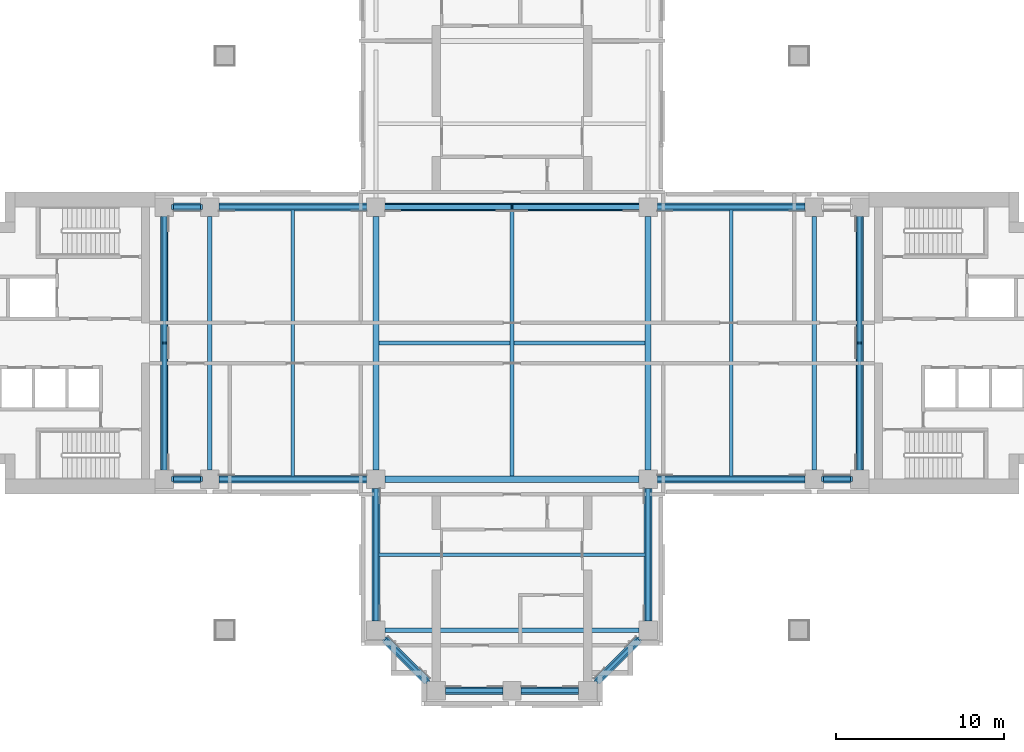
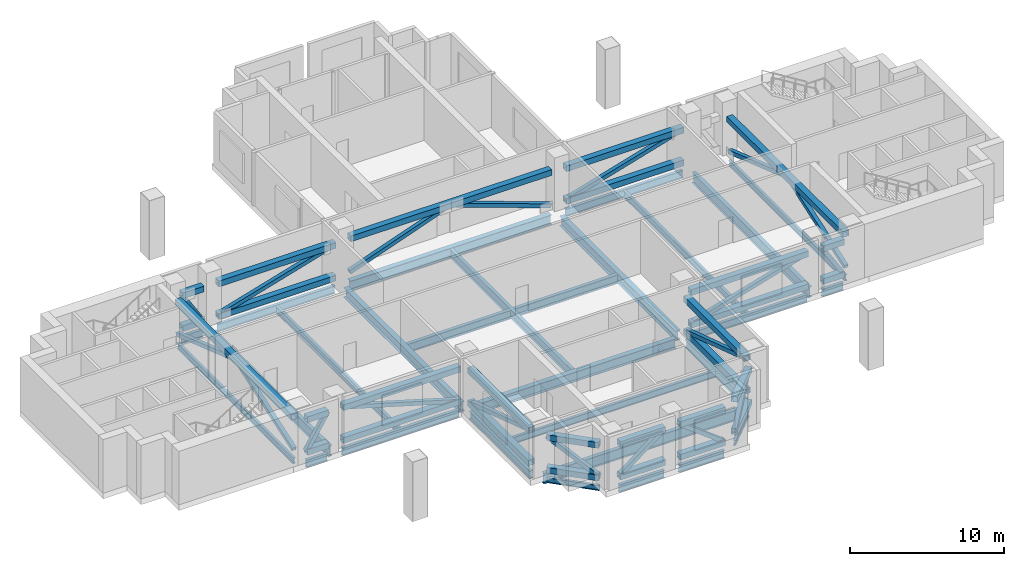
# One storey, part 3 of 11: 48 members, 28 beams.
"""IFC4 building model written with IfcOpenShell, lengths in metres."""

from ifc_helpers import new_model, si_unit, direction, frame, origin, origin_2d, place, context, subcontext, project, spatial, hollow_rectangle, i_section, extrude, material, material_profile, profile_set, type_object, element, save


model = new_model("IFC4")

# Units and contexts
model_context = context("Model", 3, precision=1e-05, world=origin(), true_north=direction((0.0, 1.0)))
body_context = subcontext(model_context, "Body", "Model", "MODEL_VIEW")
ifc_project = project(units=[si_unit("LENGTHUNIT", "METRE"), si_unit("AREAUNIT", "SQUARE_METRE"), si_unit("VOLUMEUNIT", "CUBIC_METRE"), si_unit("PLANEANGLEUNIT", "RADIAN"), si_unit("MASSUNIT", "GRAM", prefix="KILO")], contexts=[model_context])

# Site, building, storey
site_placement = place(None, origin())
site = spatial("IfcSite", under=ifc_project, at=site_placement, CompositionType="ELEMENT")
building_placement = place(site_placement, origin())
building = spatial("IfcBuilding", under=site, at=building_placement, Name="Perihelion Cross Residences", CompositionType="ELEMENT")
storey_placement = place(building_placement, frame((0.0, 0.0, 162.10009765625)))
storey = spatial("IfcBuildingStorey", under=building, at=storey_placement, Name="L39", CompositionType="ELEMENT", Elevation=162.10009765625)

# Members
ifc_material_1 = material(Name="Steel S355", Category="steel")
ifc_material_profile_1 = material_profile(ifc_material_1, hollow_rectangle(XDim=0.45703125, YDim=0.45703125, WallThickness=0.01904296875, at=origin_2d()), Name="HSS457.2x457.2x19")
ifc_profile_set_1 = profile_set([ifc_material_profile_1], Name="Steel S355")
member_type_1 = type_object("IfcMemberType", Name="Belt truss chord HSS457.2x457.2x19", PredefinedType="CHORD", material=ifc_profile_set_1)
for number, where, z_axis, x_axis, name in (
    (1, (17.449951171875, 8.10009765625, 2.8212890625), (-1.0, 0.0, 0.0), (0.0, -1.0, 0.0), "Belt truss BT3 L39 top no. 11"),
    (2, (17.449951171875, 8.10009765625, 0.228515625), (-1.0, 0.0, 0.0), (0.0, -1.0, 0.0), "Belt truss BT3 L39 bottom no. 10"),
):
    element("IfcMember", number, at=place(storey_placement, frame(where, z_axis=z_axis, x_axis=x_axis)), inside=storey, type_object=member_type_1, Name=name, PredefinedType="CHORD", context=body_context, shape_type="SweptSolid", body=[
        extrude(hollow_rectangle(XDim=0.45703125, YDim=0.45703125, WallThickness=0.01904296875, at=origin_2d()), origin(), (0.0, 0.0, 1.0), 8.800048828125),
    ])
member_1_placement = place(storey_placement, frame((7.550048828125, 8.10009765625, 2.931396484375), z_axis=(-1.0, 0.0, 0.0), x_axis=(0.0, -1.0, 0.0)))
element("IfcMember", 3, at=member_1_placement, inside=storey, type_object=member_type_1, Name="Belt truss BT3 L39 top no. 17", PredefinedType="CHORD", context=body_context, shape_type="SweptSolid", body=[
    extrude(hollow_rectangle(XDim=0.45703125, YDim=0.45703125, WallThickness=0.01904296875, at=origin_2d()), origin(), (0.0, 0.0, 1.0), 15.10009765625),
])
for number, where, z_axis, x_axis, name in (
    (4, (-8.64990234375, 8.10009765625, 2.8212890625), (-1.0, 0.0, 0.0), (0.0, -1.0, 0.0), "Belt truss BT3 L39 top no. 8"),
    (5, (-8.64990234375, 8.10009765625, 0.228515625), (-1.0, 0.0, 0.0), (0.0, -1.0, 0.0), "Belt truss BT3 L39 bottom no. 7"),
):
    element("IfcMember", number, at=place(storey_placement, frame(where, z_axis=z_axis, x_axis=x_axis)), inside=storey, type_object=member_type_1, Name=name, PredefinedType="CHORD", context=body_context, shape_type="SweptSolid", body=[
        extrude(hollow_rectangle(XDim=0.45703125, YDim=0.45703125, WallThickness=0.01904296875, at=origin_2d()), origin(), (0.0, 0.0, 1.0), 8.800048828125),
    ])
for number, where, z_axis, x_axis, name in (
    (6, (-18.550048828125, 8.10009765625, 2.8212890625), (-1.0, 0.0, 0.0), (0.0, -1.0, 0.0), "Belt truss BT3 L39 top no. 2"),
    (7, (-18.550048828125, 8.10009765625, 0.228515625), (-1.0, 0.0, 0.0), (0.0, -1.0, 0.0), "Belt truss BT3 L39 bottom no. 2"),
):
    element("IfcMember", number, at=place(storey_placement, frame(where, z_axis=z_axis, x_axis=x_axis)), inside=storey, type_object=member_type_1, Name=name, PredefinedType="CHORD", context=body_context, shape_type="SweptSolid", body=[
        extrude(hollow_rectangle(XDim=0.45703125, YDim=0.45703125, WallThickness=0.01904296875, at=origin_2d()), origin(), (0.0, 0.0, 1.0), 1.599853515625),
    ])
member_2_placement = place(storey_placement, frame((-20.699951171875, 7.550048828125, 2.8212890625), z_axis=(0.0, -1.0, 0.0), x_axis=(1.0, 0.0, 0.0)))
element("IfcMember", 8, at=member_2_placement, inside=storey, type_object=member_type_1, Name="Belt truss BT3 L39 top no. 4", PredefinedType="CHORD", context=body_context, shape_type="SweptSolid", body=[
    extrude(hollow_rectangle(XDim=0.45703125, YDim=0.45703125, WallThickness=0.01904296875, at=origin_2d()), origin(), (0.0, 0.0, 1.0), 15.10009765625),
])
for number, where, z_axis, x_axis, name in (
    (9, (-20.14990234375, -8.10009765625, 2.8212890625), (1.0, 0.0, 0.0), (0.0, 1.0, 0.0), "Belt truss BT3 L39 top no. 3"),
    (10, (-20.14990234375, -8.10009765625, 0.228515625), (1.0, 0.0, 0.0), (0.0, 1.0, 0.0), "Belt truss BT3 L39 bottom no. 3"),
):
    element("IfcMember", number, at=place(storey_placement, frame(where, z_axis=z_axis, x_axis=x_axis)), inside=storey, type_object=member_type_1, Name=name, PredefinedType="CHORD", context=body_context, shape_type="SweptSolid", body=[
        extrude(hollow_rectangle(XDim=0.45703125, YDim=0.45703125, WallThickness=0.01904296875, at=origin_2d()), origin(), (0.0, 0.0, 1.0), 1.599853515625),
    ])
for number, where, z_axis, x_axis, name in (
    (11, (-17.449951171875, -8.10009765625, 2.8212890625), (1.0, 0.0, 0.0), (0.0, 1.0, 0.0), "Belt truss BT3 L39 top no. 1"),
    (12, (-17.449951171875, -8.10009765625, 0.228515625), (1.0, 0.0, 0.0), (0.0, 1.0, 0.0), "Belt truss BT3 L39 bottom no. 1"),
):
    element("IfcMember", number, at=place(storey_placement, frame(where, z_axis=z_axis, x_axis=x_axis)), inside=storey, type_object=member_type_1, Name=name, PredefinedType="CHORD", context=body_context, shape_type="SweptSolid", body=[
        extrude(hollow_rectangle(XDim=0.45703125, YDim=0.45703125, WallThickness=0.01904296875, at=origin_2d()), origin(), (0.0, 0.0, 1.0), 8.800048828125),
    ])
for number, where, z_axis, x_axis, name in (
    (13, (-8.10009765625, -8.64990234375, 2.8212890625), (0.0, -1.0, 0.0), (1.0, 0.0, 0.0), "Belt truss BT3 L39 top no. 7"),
    (14, (-8.10009765625, -8.64990234375, 0.228515625), (0.0, -1.0, 0.0), (1.0, 0.0, 0.0), "Belt truss BT3 L39 bottom no. 6"),
):
    element("IfcMember", number, at=place(storey_placement, frame(where, z_axis=z_axis, x_axis=x_axis)), inside=storey, type_object=member_type_1, Name=name, PredefinedType="CHORD", context=body_context, shape_type="SweptSolid", body=[
        extrude(hollow_rectangle(XDim=0.45703125, YDim=0.45703125, WallThickness=0.01904296875, at=origin_2d()), origin(), (0.0, 0.0, 1.0), 7.900146484375),
    ])
for number, where, z_axis, x_axis, name in (
    (15, (-7.550048828125, -17.64990234375, 2.8212890625), (0.707106781187, -0.707106781187, 0.0), (0.707106781187, 0.707106781187, 0.0), "Belt truss BT3 L39 top no. 6"),
    (16, (-7.550048828125, -17.64990234375, 0.228515625), (0.707106781187, -0.707106781187, 0.0), (0.707106781187, 0.707106781187, 0.0), "Belt truss BT3 L39 bottom no. 5"),
):
    element("IfcMember", number, at=place(storey_placement, frame(where, z_axis=z_axis, x_axis=x_axis)), inside=storey, type_object=member_type_1, Name=name, PredefinedType="CHORD", context=body_context, shape_type="SweptSolid", body=[
        extrude(hollow_rectangle(XDim=0.45703125, YDim=0.45703125, WallThickness=0.01904296875, at=origin_2d()), origin(), (0.0, 0.0, 1.0), 3.53564453125),
    ])
for number, where, z_axis, x_axis, name in (
    (17, (-3.949951171875, -20.699951171875, 2.8212890625), (1.0, 0.0, 0.0), (0.0, 1.0, 0.0), "Belt truss BT3 L39 top no. 5"),
    (18, (-3.949951171875, -20.699951171875, 0.228515625), (1.0, 0.0, 0.0), (0.0, 1.0, 0.0), "Belt truss BT3 L39 bottom no. 4"),
    (19, (0.550048828125, -20.699951171875, 2.8212890625), (1.0, 0.0, 0.0), (0.0, 1.0, 0.0), "Belt truss BT3 L39 top no. 9"),
    (20, (0.550048828125, -20.699951171875, 0.228515625), (1.0, 0.0, 0.0), (0.0, 1.0, 0.0), "Belt truss BT3 L39 bottom no. 8"),
):
    element("IfcMember", number, at=place(storey_placement, frame(where, z_axis=z_axis, x_axis=x_axis)), inside=storey, type_object=member_type_1, Name=name, PredefinedType="CHORD", context=body_context, shape_type="SweptSolid", body=[
        extrude(hollow_rectangle(XDim=0.45703125, YDim=0.45703125, WallThickness=0.01904296875, at=origin_2d()), origin(), (0.0, 0.0, 1.0), 3.39990234375),
    ])
for number, where, z_axis, x_axis, name in (
    (21, (5.050048828125, -20.14990234375, 2.8212890625), (0.707106781187, 0.707106781187, 0.0), (-0.707106781187, 0.707106781187, 0.0), "Belt truss BT3 L39 top no. 14"),
    (22, (5.050048828125, -20.14990234375, 0.228515625), (0.707106781187, 0.707106781187, 0.0), (-0.707106781187, 0.707106781187, 0.0), "Belt truss BT3 L39 bottom no. 12"),
):
    element("IfcMember", number, at=place(storey_placement, frame(where, z_axis=z_axis, x_axis=x_axis)), inside=storey, type_object=member_type_1, Name=name, PredefinedType="CHORD", context=body_context, shape_type="SweptSolid", body=[
        extrude(hollow_rectangle(XDim=0.45703125, YDim=0.45703125, WallThickness=0.01904296875, at=origin_2d()), origin(), (0.0, 0.0, 1.0), 3.53564453125),
    ])
for number, where, z_axis, x_axis, name in (
    (23, (8.10009765625, -16.550048828125, 2.8212890625), (0.0, 1.0, 0.0), (-1.0, 0.0, 0.0), "Belt truss BT3 L39 top no. 15"),
    (24, (8.10009765625, -16.550048828125, 0.228515625), (0.0, 1.0, 0.0), (-1.0, 0.0, 0.0), "Belt truss BT3 L39 bottom no. 13"),
):
    element("IfcMember", number, at=place(storey_placement, frame(where, z_axis=z_axis, x_axis=x_axis)), inside=storey, type_object=member_type_1, Name=name, PredefinedType="CHORD", context=body_context, shape_type="SweptSolid", body=[
        extrude(hollow_rectangle(XDim=0.45703125, YDim=0.45703125, WallThickness=0.01904296875, at=origin_2d()), origin(), (0.0, 0.0, 1.0), 7.900146484375),
    ])
for number, where, z_axis, x_axis, name in (
    (25, (8.64990234375, -8.10009765625, 2.8212890625), (1.0, 0.0, 0.0), (0.0, 1.0, 0.0), "Belt truss BT3 L39 top no. 16"),
    (26, (8.64990234375, -8.10009765625, 0.228515625), (1.0, 0.0, 0.0), (0.0, 1.0, 0.0), "Belt truss BT3 L39 bottom no. 14"),
):
    element("IfcMember", number, at=place(storey_placement, frame(where, z_axis=z_axis, x_axis=x_axis)), inside=storey, type_object=member_type_1, Name=name, PredefinedType="CHORD", context=body_context, shape_type="SweptSolid", body=[
        extrude(hollow_rectangle(XDim=0.45703125, YDim=0.45703125, WallThickness=0.01904296875, at=origin_2d()), origin(), (0.0, 0.0, 1.0), 8.800048828125),
    ])
for number, where, z_axis, x_axis, name in (
    (27, (18.550048828125, -8.10009765625, 2.8212890625), (1.0, 0.0, 0.0), (0.0, 1.0, 0.0), "Belt truss BT3 L39 top no. 10"),
    (28, (18.550048828125, -8.10009765625, 0.228515625), (1.0, 0.0, 0.0), (0.0, 1.0, 0.0), "Belt truss BT3 L39 bottom no. 9"),
):
    element("IfcMember", number, at=place(storey_placement, frame(where, z_axis=z_axis, x_axis=x_axis)), inside=storey, type_object=member_type_1, Name=name, PredefinedType="CHORD", context=body_context, shape_type="SweptSolid", body=[
        extrude(hollow_rectangle(XDim=0.45703125, YDim=0.45703125, WallThickness=0.01904296875, at=origin_2d()), origin(), (0.0, 0.0, 1.0), 1.599853515625),
    ])
member_3_placement = place(storey_placement, frame((20.699951171875, -7.550048828125, 2.8212890625), z_axis=(0.0, 1.0, 0.0), x_axis=(-1.0, 0.0, 0.0)))
element("IfcMember", 29, at=member_3_placement, inside=storey, type_object=member_type_1, Name="Belt truss BT3 L39 top no. 12", PredefinedType="CHORD", context=body_context, shape_type="SweptSolid", body=[
    extrude(hollow_rectangle(XDim=0.45703125, YDim=0.45703125, WallThickness=0.01904296875, at=origin_2d()), origin(), (0.0, 0.0, 1.0), 15.10009765625),
])
ifc_material_2 = material(Name="Steel S355", Category="steel")
ifc_material_profile_2 = material_profile(ifc_material_2, hollow_rectangle(XDim=0.304931640625, YDim=0.304931640625, WallThickness=0.0126953125, at=origin_2d()), Name="HSS304.8x304.8x12.7")
ifc_profile_set_2 = profile_set([ifc_material_profile_2], Name="Steel S355")
member_type_2 = type_object("IfcMemberType", Name="Belt truss diagonal HSS304.8x304.8x12.7", PredefinedType="BRACE", material=ifc_profile_set_2)
member_4_placement = place(storey_placement, frame((8.64990234375, 8.10009765625, 0.228515625), z_axis=(0.959231910133, 0.0, 0.282620138316), x_axis=(0.0, 1.0, 0.0)))
element("IfcMember", 30, at=member_4_placement, inside=storey, type_object=member_type_2, Name="Belt truss BT4 L39 diagonal no. 10", PredefinedType="BRACE", context=body_context, shape_type="SweptSolid", body=[
    extrude(hollow_rectangle(XDim=0.304931640625, YDim=0.304931640625, WallThickness=0.0126953125, at=origin_2d()), origin(), (0.0, 0.0, 1.0), 9.174072265625),
])
for number, where, z_axis, x_axis, name in (
    (31, (7.550048828125, 8.10009765625, 0.228515625), (-0.94148748169, 0.0, 0.337047951812), (0.0, -1.0, 0.0), "Belt truss BT4 L39 diagonal A no. 3"),
    (32, (-7.550048828125, 8.10009765625, 0.228515625), (0.94148748169, 0.0, 0.337047951812), (0.0, 1.0, 0.0), "Belt truss BT4 L39 diagonal B no. 3"),
):
    element("IfcMember", number, at=place(storey_placement, frame(where, z_axis=z_axis, x_axis=x_axis)), inside=storey, type_object=member_type_2, Name=name, PredefinedType="BRACE", context=body_context, shape_type="SweptSolid", body=[
        extrude(hollow_rectangle(XDim=0.304931640625, YDim=0.304931640625, WallThickness=0.0126953125, at=origin_2d()), origin(), (0.0, 0.0, 1.0), 8.019287109375),
    ])
member_5_placement = place(storey_placement, frame((-17.449951171875, 8.10009765625, 0.228515625), z_axis=(0.959231910133, 0.0, 0.282620138316), x_axis=(0.0, 1.0, 0.0)))
element("IfcMember", 33, at=member_5_placement, inside=storey, type_object=member_type_2, Name="Belt truss BT4 L39 diagonal no. 7", PredefinedType="BRACE", context=body_context, shape_type="SweptSolid", body=[
    extrude(hollow_rectangle(XDim=0.304931640625, YDim=0.304931640625, WallThickness=0.0126953125, at=origin_2d()), origin(), (0.0, 0.0, 1.0), 9.174072265625),
])
member_6_placement = place(storey_placement, frame((-18.550048828125, 8.10009765625, 0.228515625), z_axis=(-0.525120910422, 0.0, 0.851027631418), x_axis=(0.0, -1.0, 0.0)))
element("IfcMember", 34, at=member_6_placement, inside=storey, type_object=member_type_2, Name="Belt truss BT4 L39 diagonal no. 2", PredefinedType="BRACE", context=body_context, shape_type="SweptSolid", body=[
    extrude(hollow_rectangle(XDim=0.304931640625, YDim=0.304931640625, WallThickness=0.0126953125, at=origin_2d()), origin(), (0.0, 0.0, 1.0), 3.046630859375),
])
for number, where, z_axis, x_axis, name in (
    (35, (-20.699951171875, 7.550048828125, 0.228515625), (0.0, -0.945784983062, 0.324793420214), (1.0, 0.0, 0.0), "Belt truss BT4 L39 diagonal A no. 1"),
    (36, (-20.699951171875, -7.550048828125, 0.228515625), (0.0, 0.945784983062, 0.324793420214), (-1.0, 0.0, 0.0), "Belt truss BT4 L39 diagonal B no. 1"),
):
    element("IfcMember", number, at=place(storey_placement, frame(where, z_axis=z_axis, x_axis=x_axis)), inside=storey, type_object=member_type_2, Name=name, PredefinedType="BRACE", context=body_context, shape_type="SweptSolid", body=[
        extrude(hollow_rectangle(XDim=0.304931640625, YDim=0.304931640625, WallThickness=0.0126953125, at=origin_2d()), origin(), (0.0, 0.0, 1.0), 7.98291015625),
    ])
member_7_placement = place(storey_placement, frame((-20.14990234375, -8.10009765625, 0.228515625), z_axis=(0.525120910422, 0.0, 0.851027631418), x_axis=(0.0, 1.0, 0.0)))
element("IfcMember", 37, at=member_7_placement, inside=storey, type_object=member_type_2, Name="Belt truss BT4 L39 diagonal no. 3", PredefinedType="BRACE", context=body_context, shape_type="SweptSolid", body=[
    extrude(hollow_rectangle(XDim=0.304931640625, YDim=0.304931640625, WallThickness=0.0126953125, at=origin_2d()), origin(), (0.0, 0.0, 1.0), 3.046630859375),
])
member_8_placement = place(storey_placement, frame((-8.64990234375, -8.10009765625, 0.228515625), z_axis=(-0.959231910133, 0.0, 0.282620138316), x_axis=(0.0, -1.0, 0.0)))
element("IfcMember", 38, at=member_8_placement, inside=storey, type_object=member_type_2, Name="Belt truss BT4 L39 diagonal no. 1", PredefinedType="BRACE", context=body_context, shape_type="SweptSolid", body=[
    extrude(hollow_rectangle(XDim=0.304931640625, YDim=0.304931640625, WallThickness=0.0126953125, at=origin_2d()), origin(), (0.0, 0.0, 1.0), 9.174072265625),
])
member_9_placement = place(storey_placement, frame((-8.10009765625, -8.64990234375, 0.228515625), z_axis=(0.0, -0.950138299368, 0.311828818545), x_axis=(1.0, 0.0, 0.0)))
element("IfcMember", 39, at=member_9_placement, inside=storey, type_object=member_type_2, Name="Belt truss BT4 L39 diagonal no. 6", PredefinedType="BRACE", context=body_context, shape_type="SweptSolid", body=[
    extrude(hollow_rectangle(XDim=0.304931640625, YDim=0.304931640625, WallThickness=0.0126953125, at=origin_2d()), origin(), (0.0, 0.0, 1.0), 8.314697265625),
])
member_10_placement = place(storey_placement, frame((-5.050048828125, -20.14990234375, 0.228515625), z_axis=(-0.570210705122, 0.570210705122, 0.591370868008), x_axis=(-0.707106781187, -0.707106781187, 0.0)))
element("IfcMember", 40, at=member_10_placement, inside=storey, type_object=member_type_2, Name="Belt truss BT4 L39 diagonal no. 5", PredefinedType="BRACE", context=body_context, shape_type="SweptSolid", body=[
    extrude(hollow_rectangle(XDim=0.304931640625, YDim=0.304931640625, WallThickness=0.0126953125, at=origin_2d()), origin(), (0.0, 0.0, 1.0), 4.38427734375),
])
for number, where, z_axis, x_axis, name in (
    (41, (-3.949951171875, -20.699951171875, 0.228515625), (0.795164250969, 0.0, 0.606394107805), (0.0, 1.0, 0.0), "Belt truss BT4 L39 diagonal no. 4"),
    (42, (3.949951171875, -20.699951171875, 0.228515625), (-0.795164250969, 0.0, 0.606394107805), (0.0, -1.0, 0.0), "Belt truss BT4 L39 diagonal no. 8"),
):
    element("IfcMember", number, at=place(storey_placement, frame(where, z_axis=z_axis, x_axis=x_axis)), inside=storey, type_object=member_type_2, Name=name, PredefinedType="BRACE", context=body_context, shape_type="SweptSolid", body=[
        extrude(hollow_rectangle(XDim=0.304931640625, YDim=0.304931640625, WallThickness=0.0126953125, at=origin_2d()), origin(), (0.0, 0.0, 1.0), 4.275634765625),
    ])
member_11_placement = place(storey_placement, frame((5.050048828125, -20.14990234375, 0.228515625), z_axis=(0.570210705122, 0.570210705122, 0.591370868008), x_axis=(-0.707106781187, 0.707106781187, 0.0)))
element("IfcMember", 43, at=member_11_placement, inside=storey, type_object=member_type_2, Name="Belt truss BT4 L39 diagonal no. 12", PredefinedType="BRACE", context=body_context, shape_type="SweptSolid", body=[
    extrude(hollow_rectangle(XDim=0.304931640625, YDim=0.304931640625, WallThickness=0.0126953125, at=origin_2d()), origin(), (0.0, 0.0, 1.0), 4.38427734375),
])
member_12_placement = place(storey_placement, frame((8.10009765625, -8.64990234375, 0.228515625), z_axis=(0.0, -0.950138299368, 0.311828818545), x_axis=(1.0, 0.0, 0.0)))
element("IfcMember", 44, at=member_12_placement, inside=storey, type_object=member_type_2, Name="Belt truss BT4 L39 diagonal no. 13", PredefinedType="BRACE", context=body_context, shape_type="SweptSolid", body=[
    extrude(hollow_rectangle(XDim=0.304931640625, YDim=0.304931640625, WallThickness=0.0126953125, at=origin_2d()), origin(), (0.0, 0.0, 1.0), 8.314697265625),
])
member_13_placement = place(storey_placement, frame((8.64990234375, -8.10009765625, 0.228515625), z_axis=(0.959231910133, 0.0, 0.282620138316), x_axis=(0.0, 1.0, 0.0)))
element("IfcMember", 45, at=member_13_placement, inside=storey, type_object=member_type_2, Name="Belt truss BT4 L39 diagonal no. 14", PredefinedType="BRACE", context=body_context, shape_type="SweptSolid", body=[
    extrude(hollow_rectangle(XDim=0.304931640625, YDim=0.304931640625, WallThickness=0.0126953125, at=origin_2d()), origin(), (0.0, 0.0, 1.0), 9.174072265625),
])
member_14_placement = place(storey_placement, frame((20.14990234375, -8.10009765625, 0.228515625), z_axis=(-0.525120910422, 0.0, 0.851027631418), x_axis=(0.0, -1.0, 0.0)))
element("IfcMember", 46, at=member_14_placement, inside=storey, type_object=member_type_2, Name="Belt truss BT4 L39 diagonal no. 9", PredefinedType="BRACE", context=body_context, shape_type="SweptSolid", body=[
    extrude(hollow_rectangle(XDim=0.304931640625, YDim=0.304931640625, WallThickness=0.0126953125, at=origin_2d()), origin(), (0.0, 0.0, 1.0), 3.046630859375),
])
for number, where, z_axis, x_axis, name in (
    (47, (20.699951171875, -7.550048828125, 0.228515625), (0.0, 0.945784983062, 0.324793420214), (-1.0, 0.0, 0.0), "Belt truss BT4 L39 diagonal A no. 2"),
    (48, (20.699951171875, 7.550048828125, 0.228515625), (0.0, -0.945784983062, 0.324793420214), (1.0, 0.0, 0.0), "Belt truss BT4 L39 diagonal B no. 2"),
):
    element("IfcMember", number, at=place(storey_placement, frame(where, z_axis=z_axis, x_axis=x_axis)), inside=storey, type_object=member_type_2, Name=name, PredefinedType="BRACE", context=body_context, shape_type="SweptSolid", body=[
        extrude(hollow_rectangle(XDim=0.304931640625, YDim=0.304931640625, WallThickness=0.0126953125, at=origin_2d()), origin(), (0.0, 0.0, 1.0), 7.98291015625),
    ])

# Beams
ifc_material_3 = material(Name="Steel S355", Category="steel")
ifc_material_profile_3 = material_profile(ifc_material_3, i_section(OverallWidth=0.194091796875, OverallDepth=0.469970703125, WebThickness=0.0126953125, FlangeThickness=0.0205078125, at=origin_2d()), Name="W460x106")
ifc_profile_set_3 = profile_set([ifc_material_profile_3], Name="Steel S355")
beam_type_1 = type_object("IfcBeamType", Name="Core edge beam W460x106", PredefinedType="BEAM", material=ifc_profile_set_3)
for number, where, z_axis, x_axis, name in (
    (49, (20.699951171875, -7.550048828125, -0.68505859375), (0.0, 1.0, 0.0), (-1.0, 0.0, 0.0), "Core edge beam TB5 L39 no. 2"),
    (50, (-20.699951171875, -7.550048828125, -0.68505859375), (0.0, 1.0, 0.0), (-1.0, 0.0, 0.0), "Core edge beam TB5 L39 no. 1"),
):
    element("IfcBeam", number, at=place(storey_placement, frame(where, z_axis=z_axis, x_axis=x_axis)), inside=storey, type_object=beam_type_1, Name=name, PredefinedType="BEAM", context=body_context, shape_type="SweptSolid", body=[
        extrude(i_section(OverallWidth=0.194091796875, OverallDepth=0.469970703125, WebThickness=0.0126953125, FlangeThickness=0.0205078125, at=origin_2d()), origin(), (0.0, 0.0, 1.0), 15.10009765625),
    ])
ifc_material_4 = material(Name="Steel S355", Category="steel")
ifc_material_profile_4 = material_profile(ifc_material_4, i_section(OverallWidth=0.22900390625, OverallDepth=0.612060546875, WebThickness=0.011962890625, FlangeThickness=0.01953125, at=origin_2d()), Name="W610x125")
ifc_profile_set_4 = profile_set([ifc_material_profile_4], Name="Steel S355")
beam_type_2 = type_object("IfcBeamType", Name="Edge beam W610x125", PredefinedType="SPANDREL", material=ifc_profile_set_4)
for number, where, z_axis, x_axis, name in (
    (51, (17.449951171875, 8.10009765625, -0.756103515625), (-1.0, 0.0, 0.0), (0.0, -1.0, 0.0), "Edge beam SB3 L39 no. 12"),
    (52, (-8.64990234375, 8.10009765625, -0.756103515625), (-1.0, 0.0, 0.0), (0.0, -1.0, 0.0), "Edge beam SB3 L39 no. 8"),
):
    element("IfcBeam", number, at=place(storey_placement, frame(where, z_axis=z_axis, x_axis=x_axis)), inside=storey, type_object=beam_type_2, Name=name, PredefinedType="SPANDREL", context=body_context, shape_type="SweptSolid", body=[
        extrude(i_section(OverallWidth=0.22900390625, OverallDepth=0.612060546875, WebThickness=0.011962890625, FlangeThickness=0.01953125, at=origin_2d()), origin(), (0.0, 0.0, 1.0), 8.800048828125),
    ])
for number, where, z_axis, x_axis, name in (
    (53, (-18.550048828125, 8.10009765625, -0.756103515625), (-1.0, 0.0, 0.0), (0.0, -1.0, 0.0), "Edge beam SB3 L39 no. 2"),
    (54, (-20.14990234375, -8.10009765625, -0.756103515625), (1.0, 0.0, 0.0), (0.0, 1.0, 0.0), "Edge beam SB3 L39 no. 3"),
):
    element("IfcBeam", number, at=place(storey_placement, frame(where, z_axis=z_axis, x_axis=x_axis)), inside=storey, type_object=beam_type_2, Name=name, PredefinedType="SPANDREL", context=body_context, shape_type="SweptSolid", body=[
        extrude(i_section(OverallWidth=0.22900390625, OverallDepth=0.612060546875, WebThickness=0.011962890625, FlangeThickness=0.01953125, at=origin_2d()), origin(), (0.0, 0.0, 1.0), 1.599853515625),
    ])
beam_1_placement = place(storey_placement, frame((-17.449951171875, -8.10009765625, -0.756103515625), z_axis=(1.0, 0.0, 0.0), x_axis=(0.0, 1.0, 0.0)))
element("IfcBeam", 55, at=beam_1_placement, inside=storey, type_object=beam_type_2, Name="Edge beam SB3 L39 no. 1", PredefinedType="SPANDREL", context=body_context, shape_type="SweptSolid", body=[
    extrude(i_section(OverallWidth=0.22900390625, OverallDepth=0.612060546875, WebThickness=0.011962890625, FlangeThickness=0.01953125, at=origin_2d()), origin(), (0.0, 0.0, 1.0), 8.800048828125),
])
beam_2_placement = place(storey_placement, frame((-8.10009765625, -8.64990234375, -0.756103515625), z_axis=(0.0, -1.0, 0.0), x_axis=(1.0, 0.0, 0.0)))
element("IfcBeam", 56, at=beam_2_placement, inside=storey, type_object=beam_type_2, Name="Edge beam SB3 L39 no. 5", PredefinedType="SPANDREL", context=body_context, shape_type="SweptSolid", body=[
    extrude(i_section(OverallWidth=0.22900390625, OverallDepth=0.612060546875, WebThickness=0.011962890625, FlangeThickness=0.01953125, at=origin_2d()), origin(), (0.0, 0.0, 1.0), 7.900146484375),
])
for number, where, z_axis, x_axis, name in (
    (57, (-3.949951171875, -20.699951171875, -0.756103515625), (1.0, 0.0, 0.0), (0.0, 1.0, 0.0), "Edge beam SB3 L39 no. 4"),
    (58, (0.550048828125, -20.699951171875, -0.756103515625), (1.0, 0.0, 0.0), (0.0, 1.0, 0.0), "Edge beam SB3 L39 no. 9"),
):
    element("IfcBeam", number, at=place(storey_placement, frame(where, z_axis=z_axis, x_axis=x_axis)), inside=storey, type_object=beam_type_2, Name=name, PredefinedType="SPANDREL", context=body_context, shape_type="SweptSolid", body=[
        extrude(i_section(OverallWidth=0.22900390625, OverallDepth=0.612060546875, WebThickness=0.011962890625, FlangeThickness=0.01953125, at=origin_2d()), origin(), (0.0, 0.0, 1.0), 3.39990234375),
    ])
beam_3_placement = place(storey_placement, frame((8.10009765625, -16.550048828125, -0.756103515625), z_axis=(0.0, 1.0, 0.0), x_axis=(-1.0, 0.0, 0.0)))
element("IfcBeam", 59, at=beam_3_placement, inside=storey, type_object=beam_type_2, Name="Edge beam SB3 L39 no. 15", PredefinedType="SPANDREL", context=body_context, shape_type="SweptSolid", body=[
    extrude(i_section(OverallWidth=0.22900390625, OverallDepth=0.612060546875, WebThickness=0.011962890625, FlangeThickness=0.01953125, at=origin_2d()), origin(), (0.0, 0.0, 1.0), 7.900146484375),
])
beam_4_placement = place(storey_placement, frame((8.64990234375, -8.10009765625, -0.756103515625), z_axis=(1.0, 0.0, 0.0), x_axis=(0.0, 1.0, 0.0)))
element("IfcBeam", 60, at=beam_4_placement, inside=storey, type_object=beam_type_2, Name="Edge beam SB3 L39 no. 16", PredefinedType="SPANDREL", context=body_context, shape_type="SweptSolid", body=[
    extrude(i_section(OverallWidth=0.22900390625, OverallDepth=0.612060546875, WebThickness=0.011962890625, FlangeThickness=0.01953125, at=origin_2d()), origin(), (0.0, 0.0, 1.0), 8.800048828125),
])
beam_5_placement = place(storey_placement, frame((18.550048828125, -8.10009765625, -0.756103515625), z_axis=(1.0, 0.0, 0.0), x_axis=(0.0, 1.0, 0.0)))
element("IfcBeam", 61, at=beam_5_placement, inside=storey, type_object=beam_type_2, Name="Edge beam SB3 L39 no. 11", PredefinedType="SPANDREL", context=body_context, shape_type="SweptSolid", body=[
    extrude(i_section(OverallWidth=0.22900390625, OverallDepth=0.612060546875, WebThickness=0.011962890625, FlangeThickness=0.01953125, at=origin_2d()), origin(), (0.0, 0.0, 1.0), 1.599853515625),
])
ifc_material_5 = material(Name="Steel S355", Category="steel")
ifc_material_profile_5 = material_profile(ifc_material_5, i_section(OverallWidth=0.2919921875, OverallDepth=0.8359375, WebThickness=0.013916015625, FlangeThickness=0.018798828125, at=origin_2d()), Name="W840x176")
ifc_profile_set_5 = profile_set([ifc_material_profile_5], Name="Steel S355")
beam_type_3 = type_object("IfcBeamType", Name="Floor girder W840x176", PredefinedType="BEAM", material=ifc_profile_set_5)
for number, where, z_axis, x_axis, name in (
    (62, (18.0, -7.550048828125, -0.8681640625), (0.0, 1.0, 0.0), (-1.0, 0.0, 0.0), "Girder G3 L39 no. 2"),
    (63, (-7.550048828125, -17.10009765625, -0.8681640625), (1.0, 0.0, 0.0), (0.0, 1.0, 0.0), "Girder G3 L39 no. 3"),
    (64, (-18.0, -7.550048828125, -0.8681640625), (0.0, 1.0, 0.0), (-1.0, 0.0, 0.0), "Girder G3 L39 no. 1"),
):
    element("IfcBeam", number, at=place(storey_placement, frame(where, z_axis=z_axis, x_axis=x_axis)), inside=storey, type_object=beam_type_3, Name=name, PredefinedType="BEAM", context=body_context, shape_type="SweptSolid", body=[
        extrude(i_section(OverallWidth=0.2919921875, OverallDepth=0.8359375, WebThickness=0.013916015625, FlangeThickness=0.018798828125, at=origin_2d()), origin(), (0.0, 0.0, 1.0), 15.10009765625),
    ])
ifc_material_6 = material(Name="Steel S355", Category="steel")
ifc_material_profile_6 = material_profile(ifc_material_6, i_section(OverallWidth=0.208984375, OverallDepth=0.532958984375, WebThickness=0.01025390625, FlangeThickness=0.015625, at=origin_2d()), Name="W530x92")
ifc_profile_set_6 = profile_set([ifc_material_profile_6], Name="Steel S355")
beam_type_4 = type_object("IfcBeamType", Name="Floor joist W530x92", PredefinedType="JOIST", material=ifc_profile_set_6)
for number, where, z_axis, x_axis, name in (
    (65, (13.050048828125, -7.985595703125, -0.716552734375), (0.0, 1.0, 0.0), (-1.0, 0.0, 0.0), "Joist J4 L39 no. 2"),
    (66, (-7.985595703125, -12.60009765625, -0.716552734375), (1.0, 0.0, 0.0), (0.0, 1.0, 0.0), "Joist J4 L39 no. 3"),
    (67, (-13.050048828125, -7.985595703125, -0.716552734375), (0.0, 1.0, 0.0), (-1.0, 0.0, 0.0), "Joist J4 L39 no. 1"),
):
    element("IfcBeam", number, at=place(storey_placement, frame(where, z_axis=z_axis, x_axis=x_axis)), inside=storey, type_object=beam_type_4, Name=name, PredefinedType="JOIST", context=body_context, shape_type="SweptSolid", body=[
        extrude(i_section(OverallWidth=0.208984375, OverallDepth=0.532958984375, WebThickness=0.01025390625, FlangeThickness=0.015625, at=origin_2d()), origin(), (0.0, 0.0, 1.0), 15.97119140625),
    ])
ifc_material_7 = material(Name="Steel S355", Category="steel")
ifc_material_profile_7 = material_profile(ifc_material_7, i_section(OverallWidth=0.257080078125, OverallDepth=0.693115234375, WebThickness=0.014404296875, FlangeThickness=0.023681640625, at=origin_2d()), Name="W690x170")
ifc_profile_set_7 = profile_set([ifc_material_profile_7], Name="Steel S355")
beam_type_5 = type_object("IfcBeamType", Name="Hub cross beam W690x170", PredefinedType="BEAM", material=ifc_profile_set_7)
beam_6_placement = place(storey_placement, frame((0.0, -7.909423828125, -0.796630859375), z_axis=(0.0, 1.0, 0.0), x_axis=(-1.0, 0.0, 0.0)))
element("IfcBeam", 68, at=beam_6_placement, inside=storey, type_object=beam_type_5, Name="Hub cross beam XB3 L39 no. 1", PredefinedType="BEAM", context=body_context, shape_type="SweptSolid", body=[
    extrude(i_section(OverallWidth=0.257080078125, OverallDepth=0.693115234375, WebThickness=0.014404296875, FlangeThickness=0.023681640625, at=origin_2d()), origin(), (0.0, 0.0, 1.0), 15.81884765625),
])
for number, where, z_axis, x_axis, name in (
    (69, (-7.909423828125, 0.0, -0.796630859375), (1.0, 0.0, 0.0), (0.0, 1.0, 0.0), "Hub cross beam XB3 L39 1 no. 1"),
    (70, (0.12841796875, 0.0, -0.796630859375), (1.0, 0.0, 0.0), (0.0, 1.0, 0.0), "Hub cross beam XB3 L39 2 no. 1"),
):
    element("IfcBeam", number, at=place(storey_placement, frame(where, z_axis=z_axis, x_axis=x_axis)), inside=storey, type_object=beam_type_5, Name=name, PredefinedType="BEAM", context=body_context, shape_type="SweptSolid", body=[
        extrude(i_section(OverallWidth=0.257080078125, OverallDepth=0.693115234375, WebThickness=0.014404296875, FlangeThickness=0.023681640625, at=origin_2d()), origin(), (0.0, 0.0, 1.0), 7.781005859375),
    ])
ifc_material_8 = material(Name="Steel S355", Category="steel")
ifc_material_profile_8 = material_profile(ifc_material_8, i_section(OverallWidth=0.381103515625, OverallDepth=0.77197265625, WebThickness=0.0166015625, FlangeThickness=0.027099609375, at=origin_2d()), Name="W760x257")
ifc_profile_set_8 = profile_set([ifc_material_profile_8], Name="Steel S355")
beam_type_6 = type_object("IfcBeamType", Name="Hub ring girder W760x257", PredefinedType="BEAM", material=ifc_profile_set_8)
for number, where, z_axis, x_axis, name in (
    (71, (-7.550048828125, -8.10009765625, -0.836181640625), (1.0, 0.0, 0.0), (0.0, 1.0, 0.0), "Hub ring girder RG3 L39 no. 1"),
    (72, (8.10009765625, -7.550048828125, -0.836181640625), (0.0, 1.0, 0.0), (-1.0, 0.0, 0.0), "Hub ring girder RG3 L39 no. 3"),
    (73, (7.550048828125, 8.10009765625, -0.836181640625), (-1.0, 0.0, 0.0), (0.0, -1.0, 0.0), "Hub ring girder RG3 L39 no. 4"),
    (74, (-8.10009765625, 7.550048828125, -0.836181640625), (0.0, -1.0, 0.0), (1.0, 0.0, 0.0), "Hub ring girder RG3 L39 no. 2"),
):
    element("IfcBeam", number, at=place(storey_placement, frame(where, z_axis=z_axis, x_axis=x_axis)), inside=storey, type_object=beam_type_6, Name=name, PredefinedType="BEAM", context=body_context, shape_type="SweptSolid", body=[
        extrude(i_section(OverallWidth=0.381103515625, OverallDepth=0.77197265625, WebThickness=0.0166015625, FlangeThickness=0.027099609375, at=origin_2d()), origin(), (0.0, 0.0, 1.0), 15.10009765625),
    ])
ifc_material_9 = material(Name="Steel S355", Category="steel")
ifc_material_profile_9 = material_profile(ifc_material_9, i_section(OverallWidth=0.180908203125, OverallDepth=0.4169921875, WebThickness=0.010986328125, FlangeThickness=0.018310546875, at=origin_2d()), Name="W410x85")
ifc_profile_set_9 = profile_set([ifc_material_profile_9], Name="Steel S355")
beam_type_7 = type_object("IfcBeamType", Name="Serration edge beam W410x85", PredefinedType="BEAM", material=ifc_profile_set_9)
for number, where, z_axis, x_axis, name in (
    (75, (5.050048828125, -20.14990234375, -0.65869140625), (0.707106781187, 0.707106781187, 0.0), (-0.707106781187, 0.707106781187, 0.0), "Serration edge beam EB3 L39 no. 3"),
    (76, (-7.550048828125, -17.64990234375, -0.65869140625), (0.707106781187, -0.707106781187, 0.0), (0.707106781187, 0.707106781187, 0.0), "Serration edge beam EB3 L39 no. 2"),
):
    element("IfcBeam", number, at=place(storey_placement, frame(where, z_axis=z_axis, x_axis=x_axis)), inside=storey, type_object=beam_type_7, Name=name, PredefinedType="BEAM", context=body_context, shape_type="SweptSolid", body=[
        extrude(i_section(OverallWidth=0.180908203125, OverallDepth=0.4169921875, WebThickness=0.010986328125, FlangeThickness=0.018310546875, at=origin_2d()), origin(), (0.0, 0.0, 1.0), 3.53564453125),
    ])

save(model, "model.ifc")
